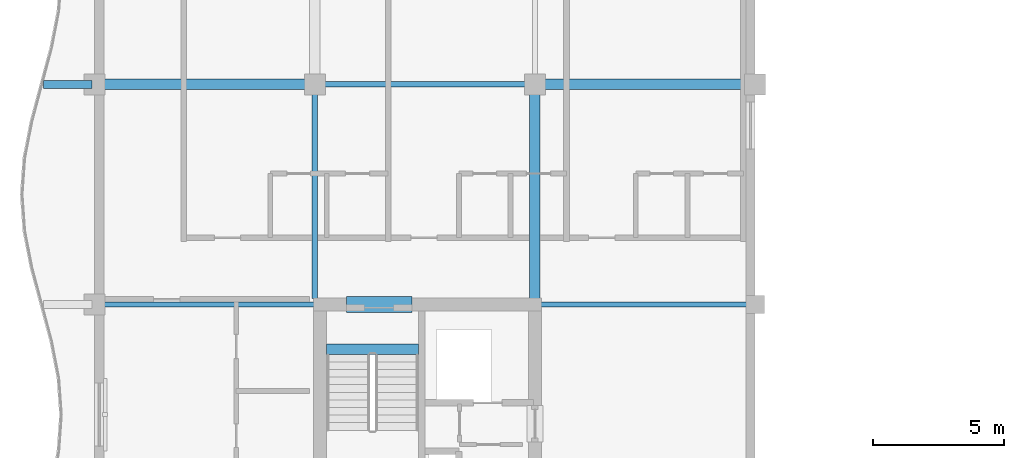
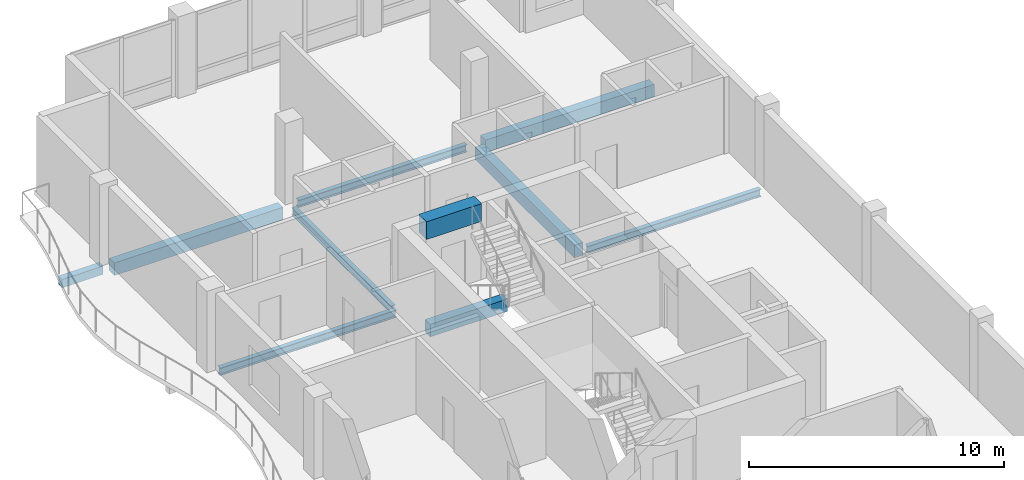
# One storey, part 2 of 17: 10 beams.
"""IFC4 building model written with IfcOpenShell, lengths in metres."""

from ifc_helpers import new_model, si_unit, direction, frame, origin, origin_2d, place, context, subcontext, project, spatial, rectangle, i_section, extrude, material, material_profile, profile_set, type_object, element, save


model = new_model("IFC4")

# Units and contexts
model_context = context("Model", 3, precision=1e-05, world=origin(), true_north=direction((0.0, 1.0)))
body_context = subcontext(model_context, "Body", "Model", "MODEL_VIEW")
ifc_project = project(units=[si_unit("LENGTHUNIT", "METRE"), si_unit("AREAUNIT", "SQUARE_METRE"), si_unit("VOLUMEUNIT", "CUBIC_METRE"), si_unit("PLANEANGLEUNIT", "RADIAN"), si_unit("MASSUNIT", "GRAM", prefix="KILO")], contexts=[model_context])

# Site, building, storey
site_placement = place(None, origin())
site = spatial("IfcSite", under=ifc_project, at=site_placement, CompositionType="ELEMENT")
building_placement = place(site_placement, origin())
building = spatial("IfcBuilding", under=site, at=building_placement, Name="Koriwani Terraces Tower", CompositionType="ELEMENT")
storey_placement = place(building_placement, frame((0.0, 0.0, 332.0)))
storey = spatial("IfcBuildingStorey", under=building, at=storey_placement, Name="L82", CompositionType="ELEMENT", Elevation=332.0)

# Beams
ifc_material_1 = material(Name="Concrete C40/50", Category="concrete")
ifc_material_profile_1 = material_profile(ifc_material_1, rectangle(XDim=0.300048828125, YDim=0.39990234375, at=origin_2d()), Name="Concrete C40/50", Category="LoadBearing")
ifc_profile_set_1 = profile_set([ifc_material_profile_1], Name="Concrete C40/50")
beam_type_1 = type_object("IfcBeamType", Name="BEAM_RC_BALCONY_RIB_300X400", PredefinedType="JOIST", material=ifc_profile_set_1)
beam_1_placement = place(storey_placement, frame((6.449951171875, 67.199951171875, -0.429931640625), z_axis=(1.0, 0.0, 0.0), x_axis=(0.0, 1.0, 0.0)))
element("IfcBeam", 1, at=beam_1_placement, inside=storey, type_object=beam_type_1, Name="L82 Balcony Bracket Rib W-4", PredefinedType="JOIST", context=body_context, shape_type="SweptSolid", body=[
    extrude(rectangle(XDim=0.300048828125, YDim=0.39990234375, at=origin_2d()), origin(), (0.0, 0.0, 1.0), 1.85009765625),
])
ifc_material_2 = material(Name="Concrete C50/60", Category="concrete")
ifc_material_profile_2 = material_profile(ifc_material_2, rectangle(XDim=0.60009765625, YDim=0.85009765625, at=origin_2d()), Name="Concrete C50/60", Category="LoadBearing")
ifc_profile_set_2 = profile_set([ifc_material_profile_2], Name="Concrete C50/60")
beam_type_2 = type_object("IfcBeamType", Name="BEAM_RC_COUPLING_600X850", PredefinedType="LINTEL", material=ifc_profile_set_2)
beam_2_placement = place(storey_placement, frame((18.0, 58.800048828125, 3.2451171875), z_axis=(1.0, 0.0, 0.0), x_axis=(0.0, 1.0, 0.0)))
element("IfcBeam", 2, at=beam_2_placement, inside=storey, type_object=beam_type_2, Name="L82 Core Coupling Lintel Beam WN", PredefinedType="LINTEL", context=body_context, shape_type="SweptSolid", body=[
    extrude(rectangle(XDim=0.60009765625, YDim=0.85009765625, at=origin_2d()), origin(), (0.0, 0.0, 1.0), 2.5),
])
ifc_material_profile_3 = material_profile(ifc_material_1, rectangle(XDim=0.39990234375, YDim=0.60009765625, at=origin_2d()), Name="Concrete C40/50", Category="LoadBearing")
ifc_profile_set_3 = profile_set([ifc_material_profile_3], Name="Concrete C40/50")
beam_type_3 = type_object("IfcBeamType", Name="BEAM_RC_GRID_400X600", PredefinedType="BEAM", material=ifc_profile_set_3)
beam_3_placement = place(storey_placement, frame((17.25, 57.094970703125, -0.300048828125), z_axis=(1.0, 0.0, 0.0), x_axis=(0.0, 1.0, 0.0)))
element("IfcBeam", 3, at=beam_3_placement, inside=storey, type_object=beam_type_3, Name="L82 Stairwell Header Trimmer Beam ST-W2", PredefinedType="BEAM", context=body_context, shape_type="SweptSolid", body=[
    extrude(rectangle(XDim=0.39990234375, YDim=0.60009765625, at=origin_2d()), origin(), (0.0, 0.0, 1.0), 3.5),
])
for number, where, z_axis, x_axis, name in (
    (4, (8.780029296875, 67.199951171875, -0.530029296875), (1.0, 0.0, 0.0), (0.0, 1.0, 0.0), "L82 Grid Beam I (8.4-16.8m)"),
    (5, (25.580078125, 67.199951171875, -0.530029296875), (1.0, 0.0, 0.0), (0.0, 1.0, 0.0), "L82 Grid Beam I (25.2-33.6m)"),
):
    element("IfcBeam", number, at=place(storey_placement, frame(where, z_axis=z_axis, x_axis=x_axis)), inside=storey, type_object=beam_type_3, Name=name, PredefinedType="BEAM", context=body_context, shape_type="SweptSolid", body=[
        extrude(rectangle(XDim=0.39990234375, YDim=0.60009765625, at=origin_2d()), origin(), (0.0, 0.0, 1.0), 7.639892578125),
    ])
beam_4_placement = place(storey_placement, frame((25.199951171875, 59.030029296875, -0.530029296875), z_axis=(0.0, 1.0, 0.0), x_axis=(-1.0, 0.0, 0.0)))
element("IfcBeam", 6, at=beam_4_placement, inside=storey, type_object=beam_type_3, Name="L82 Grid Beam 4 (58.8-67.2m)", PredefinedType="BEAM", context=body_context, shape_type="SweptSolid", body=[
    extrude(rectangle(XDim=0.39990234375, YDim=0.60009765625, at=origin_2d()), origin(), (0.0, 0.0, 1.0), 7.7900390625),
])
ifc_material_3 = material(Name="Steel ASTM A572 Grade 50", Category="steel")
ifc_material_profile_4 = material_profile(ifc_material_3, i_section(OverallWidth=0.205078125, OverallDepth=0.35400390625, WebThickness=0.009521484375, FlangeThickness=0.016845703125, at=origin_2d()), Name="Steel ASTM A572 Grade 50", Category="LoadBearing")
ifc_profile_set_4 = profile_set([ifc_material_profile_4], Name="Steel ASTM A572 Grade 50")
beam_type_4 = type_object("IfcBeamType", Name="STEEL_BEAM_W360X79", PredefinedType="JOIST", material=ifc_profile_set_4)
beam_5_placement = place(storey_placement, frame((8.780029296875, 58.800048828125, -0.406982421875), z_axis=(1.0, 0.0, 0.0), x_axis=(0.0, 1.0, 0.0)))
element("IfcBeam", 7, at=beam_5_placement, inside=storey, type_object=beam_type_4, Name="L82 Grid Beam H (8.4-16.8m)", PredefinedType="JOIST", context=body_context, shape_type="SweptSolid", body=[
    extrude(i_section(OverallWidth=0.205078125, OverallDepth=0.35400390625, WebThickness=0.009521484375, FlangeThickness=0.016845703125, at=origin_2d()), origin(), (0.0, 0.0, 1.0), 7.989990234375),
])
beam_6_placement = place(storey_placement, frame((25.429931640625, 58.800048828125, -0.406982421875), z_axis=(1.0, 0.0, 0.0), x_axis=(0.0, 1.0, 0.0)))
element("IfcBeam", 8, at=beam_6_placement, inside=storey, type_object=beam_type_4, Name="L82 Grid Beam H (25.2-33.6m)", PredefinedType="JOIST", context=body_context, shape_type="SweptSolid", body=[
    extrude(i_section(OverallWidth=0.205078125, OverallDepth=0.35400390625, WebThickness=0.009521484375, FlangeThickness=0.016845703125, at=origin_2d()), origin(), (0.0, 0.0, 1.0), 7.840087890625),
])
beam_7_placement = place(storey_placement, frame((17.179931640625, 67.199951171875, -0.406982421875), z_axis=(1.0, 0.0, 0.0), x_axis=(0.0, 1.0, 0.0)))
element("IfcBeam", 9, at=beam_7_placement, inside=storey, type_object=beam_type_4, Name="L82 Grid Beam I (16.8-25.2m)", PredefinedType="JOIST", context=body_context, shape_type="SweptSolid", body=[
    extrude(i_section(OverallWidth=0.205078125, OverallDepth=0.35400390625, WebThickness=0.009521484375, FlangeThickness=0.016845703125, at=origin_2d()), origin(), (0.0, 0.0, 1.0), 7.64013671875),
])
beam_8_placement = place(storey_placement, frame((16.800048828125, 59.030029296875, -0.406982421875), z_axis=(0.0, 1.0, 0.0), x_axis=(-1.0, 0.0, 0.0)))
element("IfcBeam", 10, at=beam_8_placement, inside=storey, type_object=beam_type_4, Name="L82 Grid Beam 3 (58.8-67.2m)", PredefinedType="JOIST", context=body_context, shape_type="SweptSolid", body=[
    extrude(i_section(OverallWidth=0.205078125, OverallDepth=0.35400390625, WebThickness=0.009521484375, FlangeThickness=0.016845703125, at=origin_2d()), origin(), (0.0, 0.0, 1.0), 7.7900390625),
])

save(model, "model.ifc")
